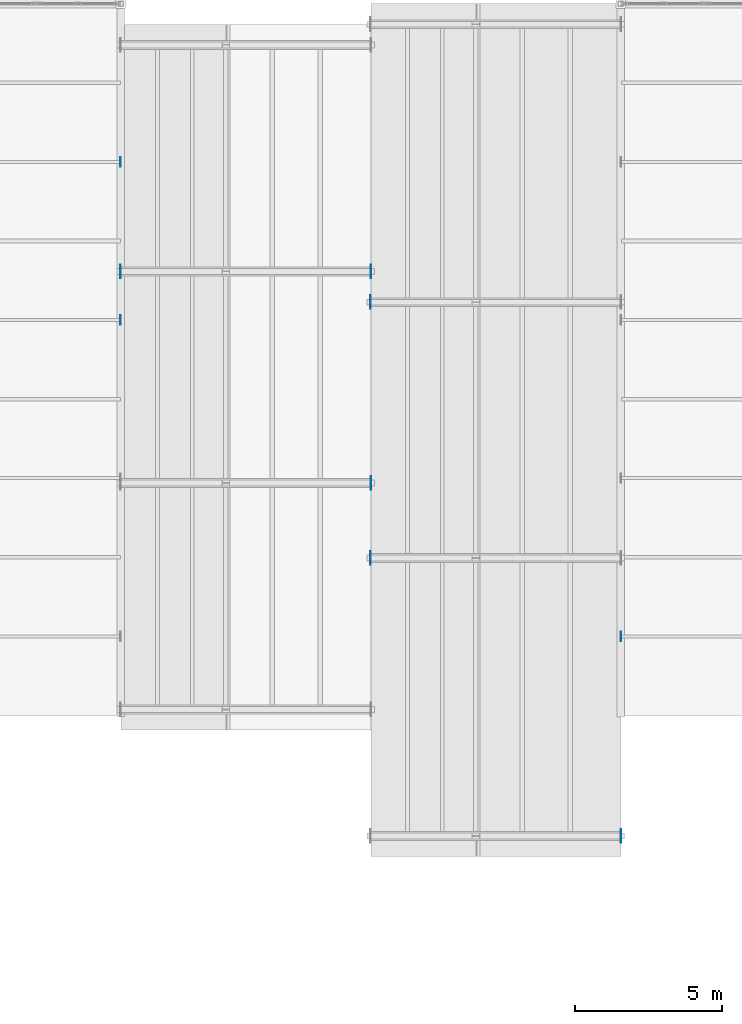
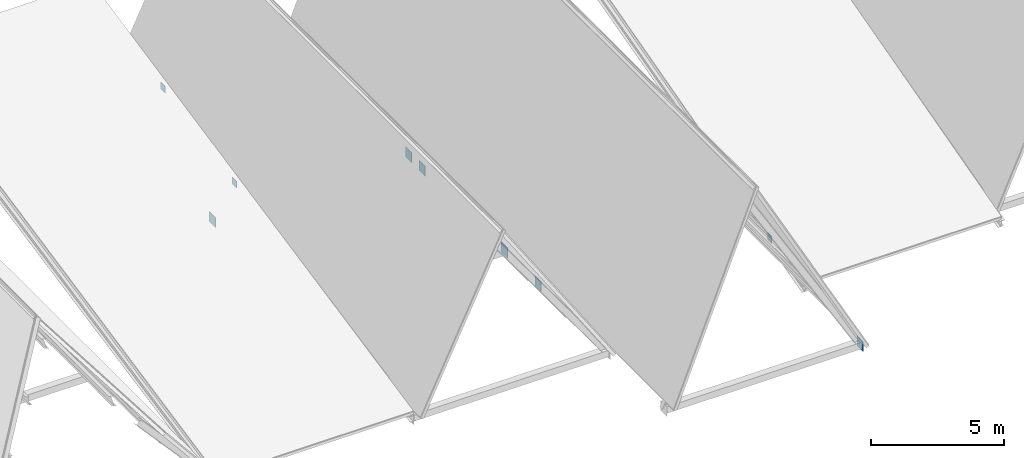
# One storey, part 64 of 77: 9 plates.
"""IFC4 building model written with IfcOpenShell, lengths in metres."""

from ifc_helpers import new_model, si_unit, direction, frame, origin, origin_2d, place, context, subcontext, project, spatial, rectangle, extrude, material, material_profile, profile_set, type_object, element, save


model = new_model("IFC4")

# Units and contexts
model_context = context("Model", 3, precision=1e-05, world=origin(), true_north=direction((0.0, 1.0)))
body_context = subcontext(model_context, "Body", "Model", "MODEL_VIEW")
ifc_project = project(units=[si_unit("LENGTHUNIT", "METRE"), si_unit("AREAUNIT", "SQUARE_METRE"), si_unit("VOLUMEUNIT", "CUBIC_METRE"), si_unit("PLANEANGLEUNIT", "RADIAN"), si_unit("MASSUNIT", "GRAM", prefix="KILO"), si_unit("THERMODYNAMICTEMPERATUREUNIT", "KELVIN"), si_unit("POWERUNIT", "WATT")], contexts=[model_context])

# Site, building, storey
site_placement = place(None, origin())
site = spatial("IfcSite", under=ifc_project, at=site_placement, CompositionType="ELEMENT")
building_placement = place(site_placement, origin())
building = spatial("IfcBuilding", under=site, at=building_placement, Name="Zhenchuan Central Fire Station", CompositionType="ELEMENT")
storey_placement = place(building_placement, frame((0.0, 0.0, 10.050048828125)))
storey = spatial("IfcBuildingStorey", under=building, at=storey_placement, Name="L03", CompositionType="ELEMENT", Elevation=10.050048828125)

# Plates
ifc_material = material(Name="Steel Q355B", Category="steel")
ifc_material_profile_1 = material_profile(ifc_material, rectangle(XDim=0.320068359375, YDim=0.320068359375, at=origin_2d()), Name="PL 320x320x20")
ifc_profile_set_1 = profile_set([ifc_material_profile_1], Name="Steel Q355B")
plate_type_1 = type_object("IfcPlateType", Name="PL-CAP20", PredefinedType="SHEET", material=ifc_profile_set_1)
for number, where, z_axis, x_axis, name in (
    (1, (81.48095703125, 24.744384765625, 2.381103515625), (1.0, 0.0, 0.0), (0.0, 1.0, 0.0), "Pavilion H03 Roof Purlin 5 end cap plate B"),
    (2, (81.48095703125, 30.122314453125, 3.465576171875), (1.0, 0.0, 0.0), (0.0, 1.0, 0.0), "Pavilion H03 Roof Purlin 7 end cap plate B"),
    (3, (98.4990234375, 13.989013671875, 0.388671875), (1.0, 0.0, 0.0), (0.0, 1.0, 0.0), "Pavilion H06 Roof Purlin 1 end cap plate A"),
):
    element("IfcPlate", number, at=place(storey_placement, frame(where, z_axis=z_axis, x_axis=x_axis)), inside=storey, type_object=plate_type_1, Name=name, PredefinedType="SHEET", context=body_context, shape_type="SweptSolid", body=[
        extrude(rectangle(XDim=0.320068359375, YDim=0.320068359375, at=origin_2d()), origin(), (0.0, 0.0, 1.0), 0.02001953125),
    ])
ifc_material_profile_2 = material_profile(ifc_material, rectangle(XDim=0.4599609375, YDim=0.4599609375, at=origin_2d()), Name="PL 460x460x28")
ifc_profile_set_2 = profile_set([ifc_material_profile_2], Name="Steel Q355B")
plate_type_2 = type_object("IfcPlateType", Name="PL-GUS28-INT", PredefinedType="SHEET", material=ifc_profile_set_2)
for number, where, z_axis, x_axis, name in (
    (4, (89.99609375, 19.199951171875, -0.330078125), (1.0, 0.0, 0.0), (0.0, 1.0, 0.0), "Pavilion H04 Gable Bottom Chord 2 end cap plate B"),
    (5, (81.48388671875, 26.39990234375, -0.330078125), (1.0, 0.0, 0.0), (0.0, 1.0, 0.0), "Pavilion H04 Gable Bottom Chord 3 end cap plate A"),
    (6, (89.99609375, 26.39990234375, -0.330078125), (1.0, 0.0, 0.0), (0.0, 1.0, 0.0), "Pavilion H04 Gable Bottom Chord 3 end cap plate B"),
    (7, (98.49609375, 7.199951171875, -0.330078125), (1.0, 0.0, 0.0), (0.0, 1.0, 0.0), "Pavilion H05 Gable Bottom Chord 1 end cap plate B"),
    (8, (89.98388671875, 16.64990234375, -0.330078125), (1.0, 0.0, 0.0), (0.0, 1.0, 0.0), "Pavilion H05 Gable Bottom Chord 2 end cap plate A"),
    (9, (89.98388671875, 25.35009765625, -0.330078125), (1.0, 0.0, 0.0), (0.0, 1.0, 0.0), "Pavilion H05 Gable Bottom Chord 3 end cap plate A"),
):
    element("IfcPlate", number, at=place(storey_placement, frame(where, z_axis=z_axis, x_axis=x_axis)), inside=storey, type_object=plate_type_2, Name=name, PredefinedType="SHEET", context=body_context, shape_type="SweptSolid", body=[
        extrude(rectangle(XDim=0.4599609375, YDim=0.4599609375, at=origin_2d()), origin(), (0.0, 0.0, 1.0), 0.02001953125),
    ])

save(model, "model.ifc")
